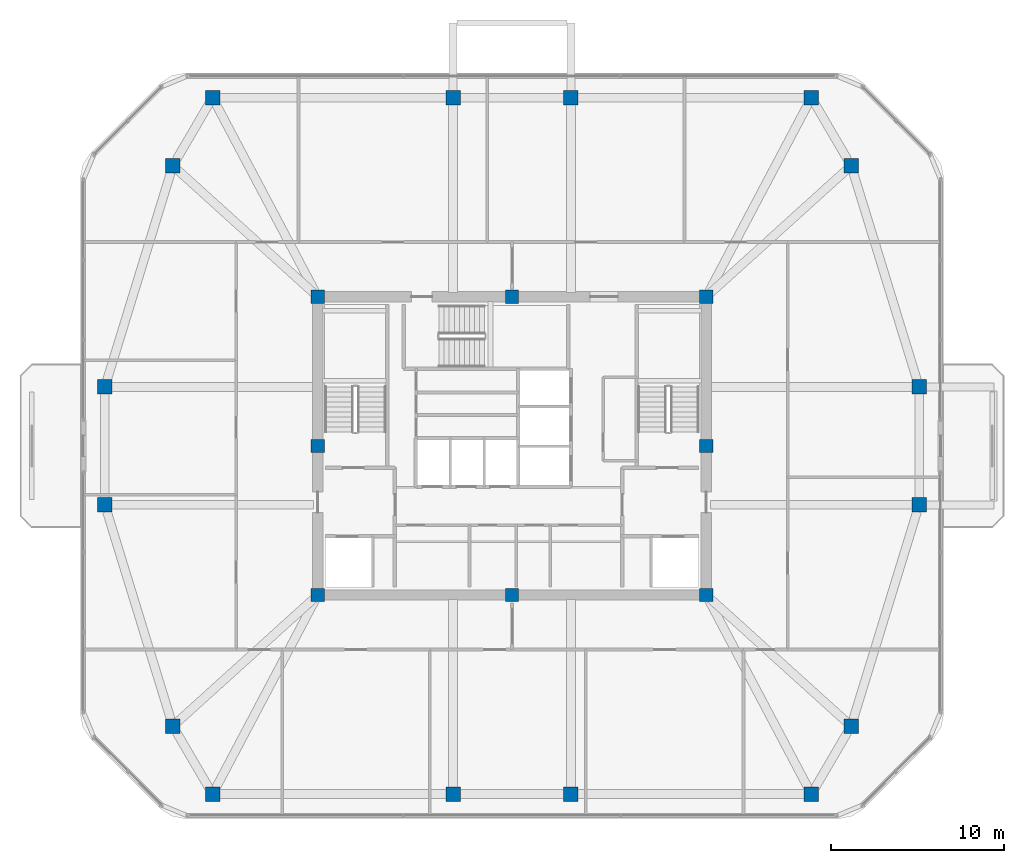
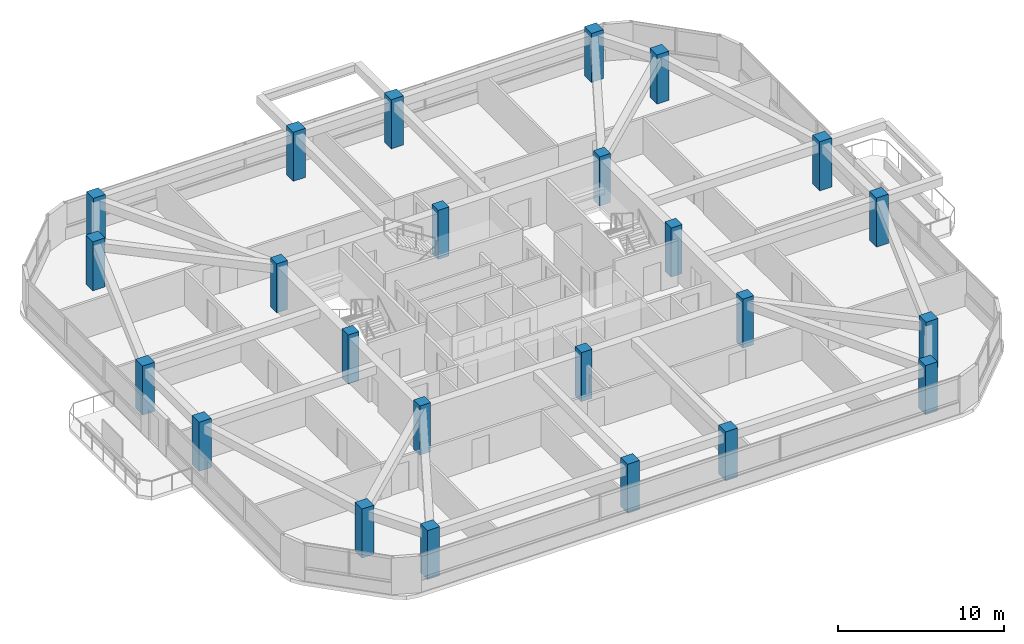
# One storey, part 1 of 13: 24 columns.
"""IFC4 building model written with IfcOpenShell, lengths in metres."""

from ifc_helpers import new_model, si_unit, derived_unit, direction, frame, origin, origin_2d, place, context, subcontext, project, spatial, rectangle, extrude, material, material_profile, profile_set, type_object, element, save


model = new_model("IFC4")

# Units and contexts
model_context = context("Model", 3, precision=1e-05, world=origin(), true_north=direction((0.0, 1.0)))
body_context = subcontext(model_context, "Body", "Model", "MODEL_VIEW")
ifc_project = project(units=[si_unit("LENGTHUNIT", "METRE"), si_unit("AREAUNIT", "SQUARE_METRE"), si_unit("VOLUMEUNIT", "CUBIC_METRE"), si_unit("PLANEANGLEUNIT", "RADIAN"), si_unit("MASSUNIT", "GRAM", prefix="KILO"), derived_unit("THERMALTRANSMITTANCEUNIT", [(si_unit("POWERUNIT", "WATT"), 1), (si_unit("LENGTHUNIT", "METRE"), -2), (si_unit("THERMODYNAMICTEMPERATUREUNIT", "KELVIN"), -1)])], contexts=[model_context])

# Site, building, storey
site_placement = place(None, origin())
site = spatial("IfcSite", under=ifc_project, at=site_placement, CompositionType="ELEMENT")
building_placement = place(site_placement, origin())
building = spatial("IfcBuilding", under=site, at=building_placement, Name="Koralith Skygarden Medical Center", CompositionType="ELEMENT")
storey_placement = place(building_placement, frame((0.0, 0.0, 271.6201171875)))
storey = spatial("IfcBuildingStorey", under=building, at=storey_placement, Name="L70", CompositionType="ELEMENT", Elevation=271.6201171875)

# Columns
ifc_material = material(Name="Concrete C55/67", Category="concrete")
ifc_material_profile_1 = material_profile(ifc_material, rectangle(XDim=0.760009765625, YDim=0.760009765625, at=origin_2d()), Name="RC760X760")
ifc_profile_set_1 = profile_set([ifc_material_profile_1], Name="Concrete C55/67")
column_type_1 = type_object("IfcColumnType", Name="Core Crown Column C55 RC760", PredefinedType="COLUMN", material=ifc_profile_set_1)
for number, where, z_axis, x_axis, name in (
    (1, (25.800048828125, 17.300048828125, 0.0), (0.0, 0.0, 1.0), (1.0, 0.0, 0.0), "L70 Core Column CC-01"),
    (2, (37.0, 17.300048828125, 0.0), (0.0, 0.0, 1.0), (1.0, 0.0, 0.0), "L70 Core Column CC-02"),
    (3, (48.199951171875, 17.300048828125, 0.0), (0.0, 0.0, 1.0), (1.0, 0.0, 0.0), "L70 Core Column CC-03"),
    (4, (48.199951171875, 25.89990234375, 0.0), (0.0, 0.0, 1.0), (1.0, 0.0, 0.0), "L70 Core Column CC-04"),
    (5, (48.199951171875, 34.5, 0.0), (0.0, 0.0, 1.0), (1.0, 0.0, 0.0), "L70 Core Column CC-05"),
    (6, (37.0, 34.5, 0.0), (0.0, 0.0, 1.0), (1.0, 0.0, 0.0), "L70 Core Column CC-06"),
    (7, (25.800048828125, 34.5, 0.0), (0.0, 0.0, 1.0), (1.0, 0.0, 0.0), "L70 Core Column CC-07"),
    (8, (25.800048828125, 25.89990234375, 0.0), (0.0, 0.0, 1.0), (1.0, 0.0, 0.0), "L70 Core Column CC-08"),
):
    element("IfcColumn", number, at=place(storey_placement, frame(where, z_axis=z_axis, x_axis=x_axis)), inside=storey, type_object=column_type_1, Name=name, PredefinedType="COLUMN", context=body_context, shape_type="SweptSolid", body=[
        extrude(rectangle(XDim=0.760009765625, YDim=0.760009765625, at=origin_2d()), origin(), (0.0, 0.0, 1.0), 3.599853515625),
    ])
ifc_material_profile_2 = material_profile(ifc_material, rectangle(XDim=0.840087890625, YDim=0.840087890625, at=origin_2d()), Name="RC840X840")
ifc_profile_set_2 = profile_set([ifc_material_profile_2], Name="Concrete C55/67")
column_type_2 = type_object("IfcColumnType", Name="Zone 5 Upper Mega-Column C55 RC840", PredefinedType="COLUMN", material=ifc_profile_set_2)
for number, where, z_axis, x_axis, name in (
    (9, (13.52001953125, 22.5, 0.0), (0.0, 0.0, 1.0), (1.0, 0.0, 0.0), "L70 Perimeter Mega-Column MC-01"),
    (10, (17.43994140625, 9.739990234375, 0.0), (0.0, 0.0, 1.0), (1.0, 0.0, 0.0), "L70 Perimeter Mega-Column MC-02"),
    (11, (19.73193359375, 5.820068359375, 0.0), (0.0, 0.0, 1.0), (1.0, 0.0, 0.0), "L70 Perimeter Mega-Column MC-03"),
    (12, (33.60009765625, 5.820068359375, 0.0), (0.0, 0.0, 1.0), (1.0, 0.0, 0.0), "L70 Perimeter Mega-Column MC-04"),
    (13, (40.39990234375, 5.820068359375, 0.0), (0.0, 0.0, 1.0), (1.0, 0.0, 0.0), "L70 Perimeter Mega-Column MC-05"),
    (14, (54.26806640625, 5.820068359375, 0.0), (0.0, 0.0, 1.0), (1.0, 0.0, 0.0), "L70 Perimeter Mega-Column MC-06"),
    (15, (56.56005859375, 9.739990234375, 0.0), (0.0, 0.0, 1.0), (1.0, 0.0, 0.0), "L70 Perimeter Mega-Column MC-07"),
    (16, (60.47998046875, 22.5, 0.0), (0.0, 0.0, 1.0), (1.0, 0.0, 0.0), "L70 Perimeter Mega-Column MC-08"),
    (17, (60.47998046875, 29.300048828125, 0.0), (0.0, 0.0, 1.0), (1.0, 0.0, 0.0), "L70 Perimeter Mega-Column MC-09"),
    (18, (56.56005859375, 42.06005859375, 0.0), (0.0, 0.0, 1.0), (1.0, 0.0, 0.0), "L70 Perimeter Mega-Column MC-10"),
    (19, (54.26806640625, 45.97998046875, 0.0), (0.0, 0.0, 1.0), (1.0, 0.0, 0.0), "L70 Perimeter Mega-Column MC-11"),
    (20, (40.39990234375, 45.97998046875, 0.0), (0.0, 0.0, 1.0), (1.0, 0.0, 0.0), "L70 Perimeter Mega-Column MC-12"),
    (21, (33.60009765625, 45.97998046875, 0.0), (0.0, 0.0, 1.0), (1.0, 0.0, 0.0), "L70 Perimeter Mega-Column MC-13"),
    (22, (19.73193359375, 45.97998046875, 0.0), (0.0, 0.0, 1.0), (1.0, 0.0, 0.0), "L70 Perimeter Mega-Column MC-14"),
    (23, (17.43994140625, 42.06005859375, 0.0), (0.0, 0.0, 1.0), (1.0, 0.0, 0.0), "L70 Perimeter Mega-Column MC-15"),
    (24, (13.52001953125, 29.300048828125, 0.0), (0.0, 0.0, 1.0), (1.0, 0.0, 0.0), "L70 Perimeter Mega-Column MC-16"),
):
    element("IfcColumn", number, at=place(storey_placement, frame(where, z_axis=z_axis, x_axis=x_axis)), inside=storey, type_object=column_type_2, Name=name, PredefinedType="COLUMN", context=body_context, shape_type="SweptSolid", body=[
        extrude(rectangle(XDim=0.840087890625, YDim=0.840087890625, at=origin_2d()), origin(), (0.0, 0.0, 1.0), 3.599853515625),
    ])

save(model, "model.ifc")
